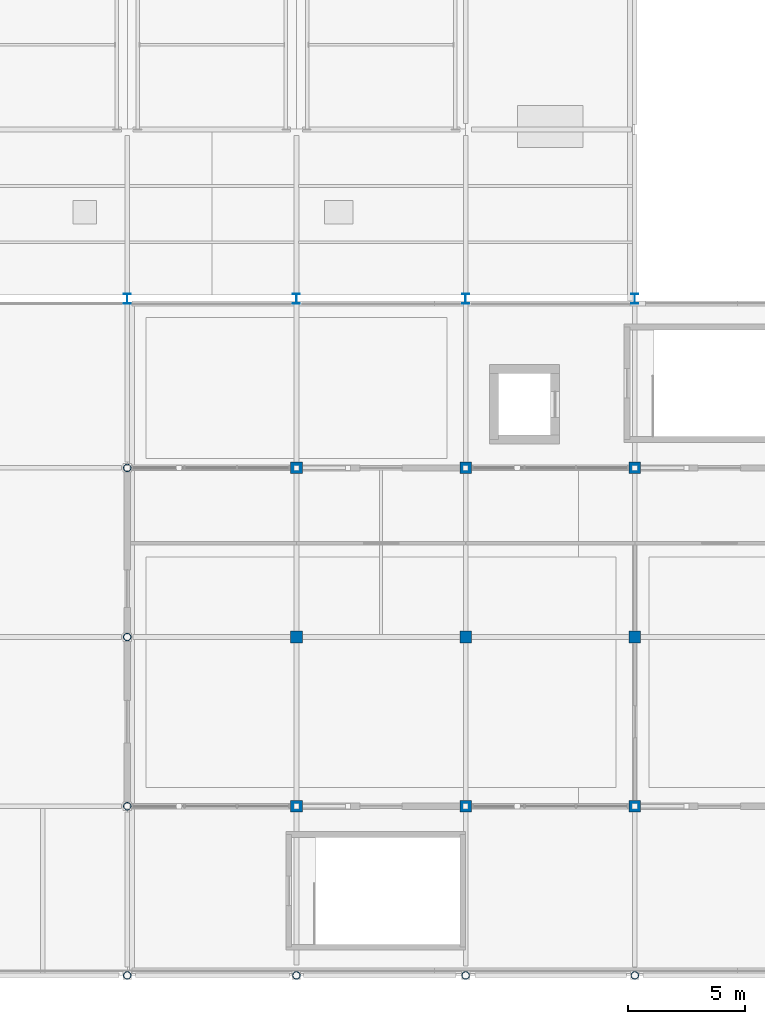
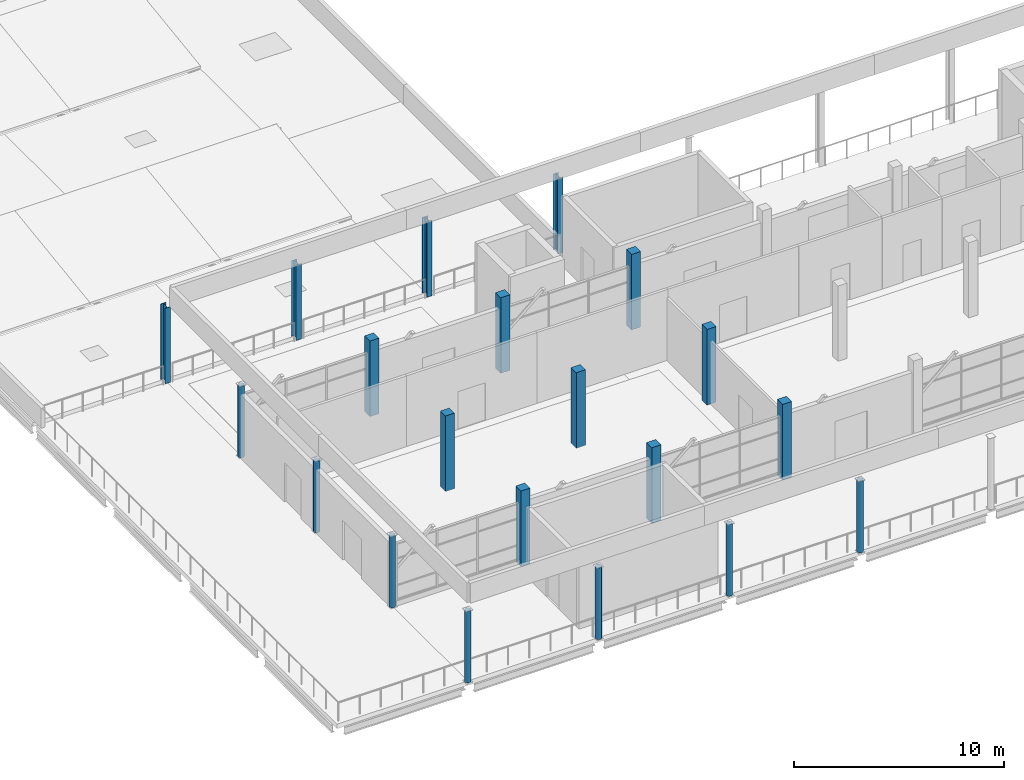
# One storey, part 1 of 32: 20 columns.
"""IFC4 building model written with IfcOpenShell, lengths in metres."""

from ifc_helpers import new_model, si_unit, direction, frame, origin, origin_2d, place, context, subcontext, project, spatial, rectangle, hollow_circle, i_section, extrude, material, material_profile, profile_set, type_object, element, save


model = new_model("IFC4")

# Units and contexts
model_context = context("Model", 3, precision=1e-05, world=origin(), true_north=direction((0.0, 1.0)))
body_context = subcontext(model_context, "Body", "Model", "MODEL_VIEW")
ifc_project = project(units=[si_unit("LENGTHUNIT", "METRE"), si_unit("AREAUNIT", "SQUARE_METRE"), si_unit("VOLUMEUNIT", "CUBIC_METRE"), si_unit("PLANEANGLEUNIT", "RADIAN"), si_unit("MASSUNIT", "GRAM", prefix="KILO")], contexts=[model_context])

# Site, building, storey
site_placement = place(None, origin())
site = spatial("IfcSite", under=ifc_project, at=site_placement, CompositionType="ELEMENT")
building_placement = place(site_placement, origin())
building = spatial("IfcBuilding", under=site, at=building_placement, Name="Sardonyx Promenade Sports Hall", CompositionType="ELEMENT")
storey_placement = place(building_placement, frame((0.0, 0.0, 20.39990234375)))
storey = spatial("IfcBuildingStorey", under=building, at=storey_placement, Name="L04", CompositionType="ELEMENT", Elevation=20.39990234375)

# Columns
ifc_material_1 = material(Name="Steel S355JR", Category="steel")
ifc_material_profile_1 = material_profile(ifc_material_1, hollow_circle(Radius=0.161865234375, WallThickness=0.012451171875, at=origin_2d()))
ifc_profile_set_1 = profile_set([ifc_material_profile_1], Name="Steel S355JR")
column_type_1 = type_object("IfcColumnType", Name="Col_Ext_CHS324", PredefinedType="COLUMN", material=ifc_profile_set_1)
for number, where, z_axis, x_axis, name in (
    (1, (7.199951171875, 0.0, 0.0), (0.0, 0.0, 1.0), (1.0, 0.0, 0.0), "Column CE09 L04 (7.2,0.0)"),
    (2, (7.199951171875, 7.199951171875, 0.0), (0.0, 0.0, 1.0), (1.0, 0.0, 0.0), "Column CE09 L04 (7.2,7.2)"),
    (3, (7.199951171875, 14.39990234375, 0.0), (0.0, 0.0, 1.0), (1.0, 0.0, 0.0), "Column CE09 L04 (7.2,14.4)"),
    (4, (7.199951171875, 21.60009765625, 0.0), (0.0, 0.0, 1.0), (1.0, 0.0, 0.0), "Column CE09 L04 (7.2,21.6)"),
    (5, (14.39990234375, 0.0, 0.0), (0.0, 0.0, 1.0), (1.0, 0.0, 0.0), "Column CE09 L04 (14.4,0.0)"),
    (6, (21.60009765625, 0.0, 0.0), (0.0, 0.0, 1.0), (1.0, 0.0, 0.0), "Column CE09 L04 (21.6,0.0)"),
    (7, (28.800048828125, 0.0, 0.0), (0.0, 0.0, 1.0), (1.0, 0.0, 0.0), "Column CE09 L04 (28.8,0.0)"),
):
    element("IfcColumn", number, at=place(storey_placement, frame(where, z_axis=z_axis, x_axis=x_axis)), inside=storey, type_object=column_type_1, Name=name, PredefinedType="COLUMN", context=body_context, shape_type="SweptSolid", body=[
        extrude(hollow_circle(Radius=0.161865234375, WallThickness=0.012451171875, at=origin_2d()), origin(), (0.0, 0.0, 1.0), 4.170166015625),
    ])
ifc_material_2 = material(Name="Steel S355JR", Category="steel")
ifc_material_profile_2 = material_profile(ifc_material_2, i_section(OverallWidth=0.300048828125, OverallDepth=0.43994140625, WebThickness=0.011474609375, FlangeThickness=0.02099609375, at=origin_2d()))
ifc_profile_set_2 = profile_set([ifc_material_profile_2], Name="Steel S355JR")
column_type_2 = type_object("IfcColumnType", Name="Col_Ext_HEA450", PredefinedType="COLUMN", material=ifc_profile_set_2)
for number, where, z_axis, x_axis, name in (
    (8, (7.199951171875, 28.800048828125, 0.0), (0.0, 0.0, 1.0), (1.0, 0.0, 0.0), "Column CE10 L04 (7.2,28.8)"),
    (9, (14.39990234375, 28.800048828125, 0.0), (0.0, 0.0, 1.0), (1.0, 0.0, 0.0), "Column CE10 L04 (14.4,28.8)"),
    (10, (21.60009765625, 28.800048828125, 0.0), (0.0, 0.0, 1.0), (1.0, 0.0, 0.0), "Column CE10 L04 (21.6,28.8)"),
    (11, (28.800048828125, 28.800048828125, 0.0), (0.0, 0.0, 1.0), (1.0, 0.0, 0.0), "Column CE10 L04 (28.8,28.8)"),
):
    element("IfcColumn", number, at=place(storey_placement, frame(where, z_axis=z_axis, x_axis=x_axis)), inside=storey, type_object=column_type_2, Name=name, PredefinedType="COLUMN", context=body_context, shape_type="SweptSolid", body=[
        extrude(i_section(OverallWidth=0.300048828125, OverallDepth=0.43994140625, WebThickness=0.011474609375, FlangeThickness=0.02099609375, at=origin_2d()), origin(), (0.0, 0.0, 1.0), 4.400146484375),
    ])
ifc_material_3 = material(Name="Concrete C40/50", Category="concrete")
ifc_material_profile_3 = material_profile(ifc_material_3, rectangle(XDim=0.5, YDim=0.5, at=origin_2d()))
ifc_profile_set_3 = profile_set([ifc_material_profile_3], Name="Concrete C40/50")
column_type_3 = type_object("IfcColumnType", Name="Col_Int_RC500", PredefinedType="COLUMN", material=ifc_profile_set_3)
for number, where, z_axis, x_axis, name in (
    (12, (14.39990234375, 7.199951171875, 0.0), (0.0, 0.0, 1.0), (1.0, 0.0, 0.0), "Column CI06 L04 (14.4,7.2)"),
    (13, (14.39990234375, 14.39990234375, 0.0), (0.0, 0.0, 1.0), (1.0, 0.0, 0.0), "Column CI06 L04 (14.4,14.4)"),
    (14, (14.39990234375, 21.60009765625, 0.0), (0.0, 0.0, 1.0), (1.0, 0.0, 0.0), "Column CI06 L04 (14.4,21.6)"),
    (15, (21.60009765625, 7.199951171875, 0.0), (0.0, 0.0, 1.0), (1.0, 0.0, 0.0), "Column CI06 L04 (21.6,7.2)"),
    (16, (21.60009765625, 14.39990234375, 0.0), (0.0, 0.0, 1.0), (1.0, 0.0, 0.0), "Column CI06 L04 (21.6,14.4)"),
    (17, (21.60009765625, 21.60009765625, 0.0), (0.0, 0.0, 1.0), (1.0, 0.0, 0.0), "Column CI06 L04 (21.6,21.6)"),
    (18, (28.800048828125, 7.199951171875, 0.0), (0.0, 0.0, 1.0), (1.0, 0.0, 0.0), "Column CI06 L04 (28.8,7.2)"),
    (19, (28.800048828125, 14.39990234375, 0.0), (0.0, 0.0, 1.0), (1.0, 0.0, 0.0), "Column CI06 L04 (28.8,14.4)"),
    (20, (28.800048828125, 21.60009765625, 0.0), (0.0, 0.0, 1.0), (1.0, 0.0, 0.0), "Column CI06 L04 (28.8,21.6)"),
):
    element("IfcColumn", number, at=place(storey_placement, frame(where, z_axis=z_axis, x_axis=x_axis)), inside=storey, type_object=column_type_3, Name=name, PredefinedType="COLUMN", context=body_context, shape_type="SweptSolid", body=[
        extrude(rectangle(XDim=0.5, YDim=0.5, at=origin_2d()), origin(), (0.0, 0.0, 1.0), 4.400146484375),
    ])

save(model, "model.ifc")
